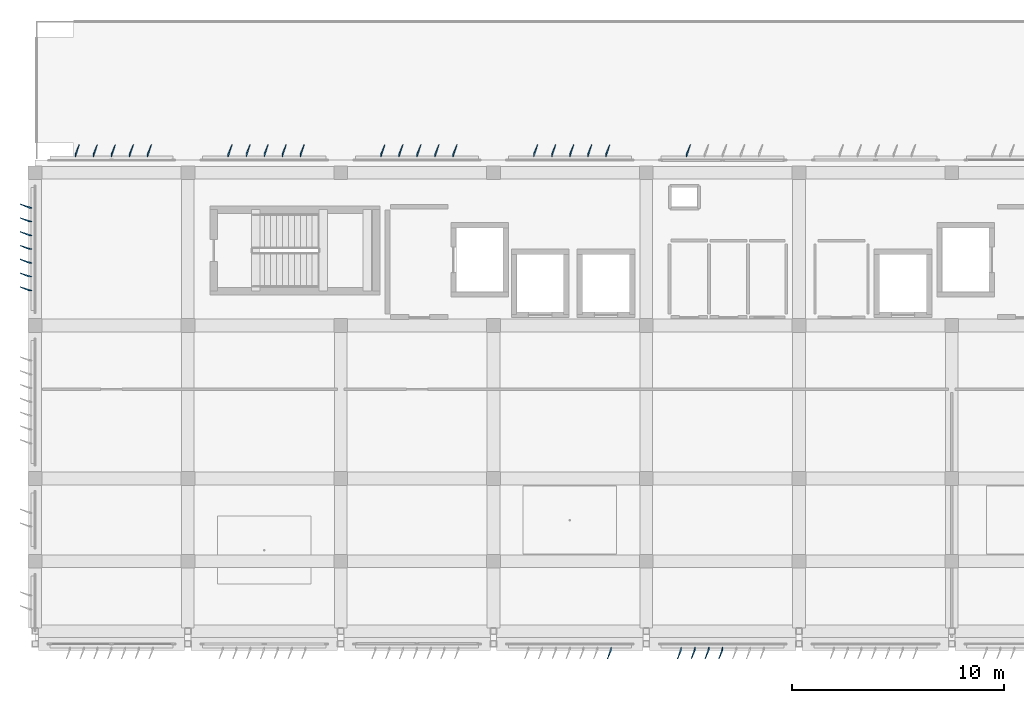
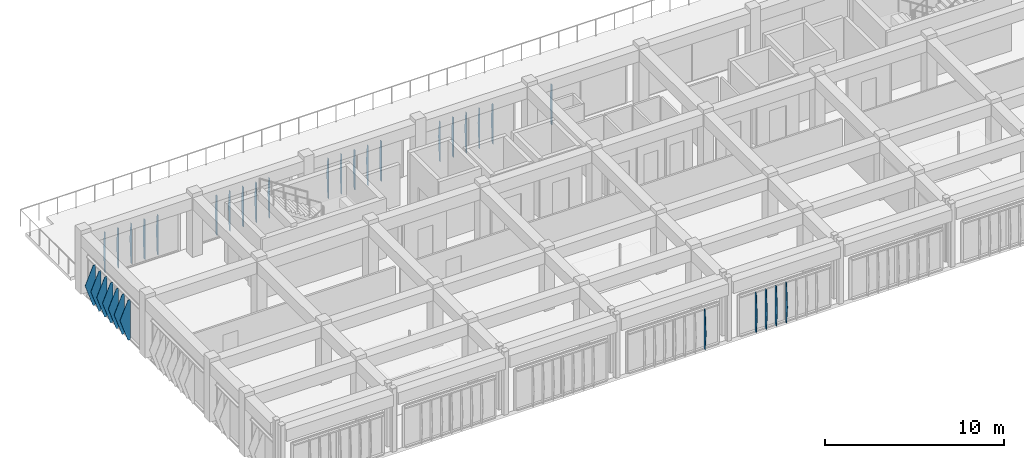
# One storey, part 37 of 42: 33 plates.
"""IFC4 building model written with IfcOpenShell, lengths in metres."""

from ifc_helpers import new_model, si_unit, direction, frame, origin, place, context, subcontext, project, spatial, polygons, material, layer, layer_set, type_object, element, save


model = new_model("IFC4")

# Units and contexts
model_context = context("Model", 3, precision=1e-05, world=origin(), true_north=direction((0.0, 1.0)))
body_context = subcontext(model_context, "Body", "Model", "MODEL_VIEW")
ifc_project = project(units=[si_unit("LENGTHUNIT", "METRE"), si_unit("AREAUNIT", "SQUARE_METRE"), si_unit("VOLUMEUNIT", "CUBIC_METRE"), si_unit("PLANEANGLEUNIT", "RADIAN"), si_unit("MASSUNIT", "GRAM", prefix="KILO")], contexts=[model_context])

# Site, building, storey
site_placement = place(None, origin())
site = spatial("IfcSite", under=ifc_project, at=site_placement, CompositionType="ELEMENT")
building_placement = place(site_placement, origin())
building = spatial("IfcBuilding", under=site, at=building_placement, Name="Kazehaya Institute of Natural Sciences", CompositionType="ELEMENT")
storey_placement = place(building_placement, frame((0.0, 0.0, 37.6201171875)))
storey = spatial("IfcBuildingStorey", under=building, at=storey_placement, Name="L08", CompositionType="ELEMENT", Elevation=37.6201171875)

# Plates
ifc_material = material(Name="Bronze-anodised aluminium alloy A6063S-T5", Category="aluminium")
ifc_layer_1 = layer(ifc_material, 0.02001953125, Name="Bronze-anodised aluminium alloy A6063S-T5", Category="aluminium")
ifc_layer_set_1 = layer_set([ifc_layer_1], Name="Bronze-anodised aluminium alloy A6063S-T5")
plate_type_1 = type_object("IfcPlateType", Name="FIN-DF-E1", PredefinedType="USERDEFINED", material=ifc_layer_set_1)
plate_1_placement = place(storey_placement, origin())
element("IfcPlate", 1, at=plate_1_placement, inside=storey, type_object=plate_type_1, Name="L08 folded diamond-pyramid shading fin FIN-L08-W-0827", ObjectType="SHADING_FIN", PredefinedType="USERDEFINED", context=body_context, shape_type="Tessellation", body=[
    polygons([(54.445068359375, 22.840087890625, 0.039794921875), (54.300048828125, 22.840087890625, 0.039794921875), (53.889892578125, 23.018798828125, 1.409912109375), (54.300048828125, 22.840087890625, 2.77978515625), (54.445068359375, 22.840087890625, 2.77978515625), (54.445068359375, 22.860107421875, 0.039794921875), (54.300048828125, 22.860107421875, 0.039794921875), (53.889892578125, 23.038818359375, 1.409912109375), (54.300048828125, 22.860107421875, 2.77978515625), (54.445068359375, 22.860107421875, 2.77978515625)], [[[1, 5, 4, 3, 2]], [[6, 7, 8, 9, 10]], [[1, 2, 7, 6]], [[2, 3, 8, 7]], [[3, 4, 9, 8]], [[4, 5, 10, 9]], [[5, 1, 6, 10]]], closed=True),
])
plate_2_placement = place(storey_placement, origin())
element("IfcPlate", 2, at=plate_2_placement, inside=storey, type_object=plate_type_1, Name="L08 folded diamond-pyramid shading fin FIN-L08-W-0828", ObjectType="SHADING_FIN", PredefinedType="USERDEFINED", context=body_context, shape_type="Tessellation", body=[
    polygons([(54.445068359375, 23.489990234375, 0.039794921875), (54.300048828125, 23.489990234375, 0.039794921875), (53.889892578125, 23.668701171875, 1.409912109375), (54.300048828125, 23.489990234375, 2.77978515625), (54.445068359375, 23.489990234375, 2.77978515625), (54.445068359375, 23.510009765625, 0.039794921875), (54.300048828125, 23.510009765625, 0.039794921875), (53.889892578125, 23.688720703125, 1.409912109375), (54.300048828125, 23.510009765625, 2.77978515625), (54.445068359375, 23.510009765625, 2.77978515625)], [[[1, 5, 4, 3, 2]], [[6, 7, 8, 9, 10]], [[1, 2, 7, 6]], [[2, 3, 8, 7]], [[3, 4, 9, 8]], [[4, 5, 10, 9]], [[5, 1, 6, 10]]], closed=True),
])
plate_3_placement = place(storey_placement, origin())
element("IfcPlate", 3, at=plate_3_placement, inside=storey, type_object=plate_type_1, Name="L08 folded diamond-pyramid shading fin FIN-L08-W-0829", ObjectType="SHADING_FIN", PredefinedType="USERDEFINED", context=body_context, shape_type="Tessellation", body=[
    polygons([(54.445068359375, 24.139892578125, 0.039794921875), (54.300048828125, 24.139892578125, 0.039794921875), (53.889892578125, 24.318603515625, 1.409912109375), (54.300048828125, 24.139892578125, 2.77978515625), (54.445068359375, 24.139892578125, 2.77978515625), (54.445068359375, 24.159912109375, 0.039794921875), (54.300048828125, 24.159912109375, 0.039794921875), (53.889892578125, 24.338623046875, 1.409912109375), (54.300048828125, 24.159912109375, 2.77978515625), (54.445068359375, 24.159912109375, 2.77978515625)], [[[1, 5, 4, 3, 2]], [[6, 7, 8, 9, 10]], [[1, 2, 7, 6]], [[2, 3, 8, 7]], [[3, 4, 9, 8]], [[4, 5, 10, 9]], [[5, 1, 6, 10]]], closed=True),
])
plate_4_placement = place(storey_placement, origin())
element("IfcPlate", 4, at=plate_4_placement, inside=storey, type_object=plate_type_1, Name="L08 folded diamond-pyramid shading fin FIN-L08-W-0830", ObjectType="SHADING_FIN", PredefinedType="USERDEFINED", context=body_context, shape_type="Tessellation", body=[
    polygons([(54.445068359375, 24.7900390625, 0.039794921875), (54.300048828125, 24.7900390625, 0.039794921875), (53.889892578125, 24.96875, 1.409912109375), (54.300048828125, 24.7900390625, 2.77978515625), (54.445068359375, 24.7900390625, 2.77978515625), (54.445068359375, 24.81005859375, 0.039794921875), (54.300048828125, 24.81005859375, 0.039794921875), (53.889892578125, 24.98876953125, 1.409912109375), (54.300048828125, 24.81005859375, 2.77978515625), (54.445068359375, 24.81005859375, 2.77978515625)], [[[1, 5, 4, 3, 2]], [[6, 7, 8, 9, 10]], [[1, 2, 7, 6]], [[2, 3, 8, 7]], [[3, 4, 9, 8]], [[4, 5, 10, 9]], [[5, 1, 6, 10]]], closed=True),
])
plate_5_placement = place(storey_placement, origin())
element("IfcPlate", 5, at=plate_5_placement, inside=storey, type_object=plate_type_1, Name="L08 folded diamond-pyramid shading fin FIN-L08-W-0831", ObjectType="SHADING_FIN", PredefinedType="USERDEFINED", context=body_context, shape_type="Tessellation", body=[
    polygons([(54.445068359375, 25.43994140625, 0.039794921875), (54.300048828125, 25.43994140625, 0.039794921875), (53.889892578125, 25.61865234375, 1.409912109375), (54.300048828125, 25.43994140625, 2.77978515625), (54.445068359375, 25.43994140625, 2.77978515625), (54.445068359375, 25.4599609375, 0.039794921875), (54.300048828125, 25.4599609375, 0.039794921875), (53.889892578125, 25.638671875, 1.409912109375), (54.300048828125, 25.4599609375, 2.77978515625), (54.445068359375, 25.4599609375, 2.77978515625)], [[[1, 5, 4, 3, 2]], [[6, 7, 8, 9, 10]], [[1, 2, 7, 6]], [[2, 3, 8, 7]], [[3, 4, 9, 8]], [[4, 5, 10, 9]], [[5, 1, 6, 10]]], closed=True),
])
plate_6_placement = place(storey_placement, origin())
element("IfcPlate", 6, at=plate_6_placement, inside=storey, type_object=plate_type_1, Name="L08 folded diamond-pyramid shading fin FIN-L08-W-0832", ObjectType="SHADING_FIN", PredefinedType="USERDEFINED", context=body_context, shape_type="Tessellation", body=[
    polygons([(54.445068359375, 26.090087890625, 0.039794921875), (54.300048828125, 26.090087890625, 0.039794921875), (53.889892578125, 26.268798828125, 1.409912109375), (54.300048828125, 26.090087890625, 2.77978515625), (54.445068359375, 26.090087890625, 2.77978515625), (54.445068359375, 26.110107421875, 0.039794921875), (54.300048828125, 26.110107421875, 0.039794921875), (53.889892578125, 26.288818359375, 1.409912109375), (54.300048828125, 26.110107421875, 2.77978515625), (54.445068359375, 26.110107421875, 2.77978515625)], [[[1, 5, 4, 3, 2]], [[6, 7, 8, 9, 10]], [[1, 2, 7, 6]], [[2, 3, 8, 7]], [[3, 4, 9, 8]], [[4, 5, 10, 9]], [[5, 1, 6, 10]]], closed=True),
])
plate_7_placement = place(storey_placement, origin())
element("IfcPlate", 7, at=plate_7_placement, inside=storey, type_object=plate_type_1, Name="L08 folded diamond-pyramid shading fin FIN-L08-W-0833", ObjectType="SHADING_FIN", PredefinedType="USERDEFINED", context=body_context, shape_type="Tessellation", body=[
    polygons([(54.445068359375, 26.739990234375, 0.039794921875), (54.300048828125, 26.739990234375, 0.039794921875), (53.889892578125, 26.918701171875, 1.409912109375), (54.300048828125, 26.739990234375, 2.77978515625), (54.445068359375, 26.739990234375, 2.77978515625), (54.445068359375, 26.760009765625, 0.039794921875), (54.300048828125, 26.760009765625, 0.039794921875), (53.889892578125, 26.938720703125, 1.409912109375), (54.300048828125, 26.760009765625, 2.77978515625), (54.445068359375, 26.760009765625, 2.77978515625)], [[[1, 5, 4, 3, 2]], [[6, 7, 8, 9, 10]], [[1, 2, 7, 6]], [[2, 3, 8, 7]], [[3, 4, 9, 8]], [[4, 5, 10, 9]], [[5, 1, 6, 10]]], closed=True),
])
ifc_layer_2 = layer(ifc_material, 0.02001953125, Name="Bronze-anodised aluminium alloy A6063S-T5", Category="aluminium")
ifc_layer_set_2 = layer_set([ifc_layer_2], Name="Bronze-anodised aluminium alloy A6063S-T5")
plate_type_2 = type_object("IfcPlateType", Name="FIN-DF-N1", PredefinedType="USERDEFINED", material=ifc_layer_set_2)
plate_8_placement = place(storey_placement, origin())
element("IfcPlate", 8, at=plate_8_placement, inside=storey, type_object=plate_type_2, Name="L08 folded diamond-pyramid shading fin FIN-L08-N-0765", ObjectType="SHADING_FIN", PredefinedType="USERDEFINED", context=body_context, shape_type="Tessellation", body=[
    polygons([(56.489990234375, 29.155029296875, 0.039794921875), (56.489990234375, 29.300048828125, 0.039794921875), (56.668701171875, 29.7099609375, 1.409912109375), (56.489990234375, 29.300048828125, 2.77978515625), (56.489990234375, 29.155029296875, 2.77978515625), (56.510009765625, 29.155029296875, 0.039794921875), (56.510009765625, 29.300048828125, 0.039794921875), (56.688720703125, 29.7099609375, 1.409912109375), (56.510009765625, 29.300048828125, 2.77978515625), (56.510009765625, 29.155029296875, 2.77978515625)], [[[1, 5, 4, 3, 2]], [[6, 7, 8, 9, 10]], [[1, 2, 7, 6]], [[2, 3, 8, 7]], [[3, 4, 9, 8]], [[4, 5, 10, 9]], [[5, 1, 6, 10]]], closed=True),
])
plate_9_placement = place(storey_placement, origin())
element("IfcPlate", 9, at=plate_9_placement, inside=storey, type_object=plate_type_2, Name="L08 folded diamond-pyramid shading fin FIN-L08-N-0766", ObjectType="SHADING_FIN", PredefinedType="USERDEFINED", context=body_context, shape_type="Tessellation", body=[
    polygons([(57.340087890625, 29.155029296875, 0.039794921875), (57.340087890625, 29.300048828125, 0.039794921875), (57.518798828125, 29.7099609375, 1.409912109375), (57.340087890625, 29.300048828125, 2.77978515625), (57.340087890625, 29.155029296875, 2.77978515625), (57.360107421875, 29.155029296875, 0.039794921875), (57.360107421875, 29.300048828125, 0.039794921875), (57.538818359375, 29.7099609375, 1.409912109375), (57.360107421875, 29.300048828125, 2.77978515625), (57.360107421875, 29.155029296875, 2.77978515625)], [[[1, 5, 4, 3, 2]], [[6, 7, 8, 9, 10]], [[1, 2, 7, 6]], [[2, 3, 8, 7]], [[3, 4, 9, 8]], [[4, 5, 10, 9]], [[5, 1, 6, 10]]], closed=True),
])
plate_10_placement = place(storey_placement, origin())
element("IfcPlate", 10, at=plate_10_placement, inside=storey, type_object=plate_type_2, Name="L08 folded diamond-pyramid shading fin FIN-L08-N-0767", ObjectType="SHADING_FIN", PredefinedType="USERDEFINED", context=body_context, shape_type="Tessellation", body=[
    polygons([(58.18994140625, 29.155029296875, 0.039794921875), (58.18994140625, 29.300048828125, 0.039794921875), (58.36865234375, 29.7099609375, 1.409912109375), (58.18994140625, 29.300048828125, 2.77978515625), (58.18994140625, 29.155029296875, 2.77978515625), (58.2099609375, 29.155029296875, 0.039794921875), (58.2099609375, 29.300048828125, 0.039794921875), (58.388671875, 29.7099609375, 1.409912109375), (58.2099609375, 29.300048828125, 2.77978515625), (58.2099609375, 29.155029296875, 2.77978515625)], [[[1, 5, 4, 3, 2]], [[6, 7, 8, 9, 10]], [[1, 2, 7, 6]], [[2, 3, 8, 7]], [[3, 4, 9, 8]], [[4, 5, 10, 9]], [[5, 1, 6, 10]]], closed=True),
])
plate_11_placement = place(storey_placement, origin())
element("IfcPlate", 11, at=plate_11_placement, inside=storey, type_object=plate_type_2, Name="L08 folded diamond-pyramid shading fin FIN-L08-N-0768", ObjectType="SHADING_FIN", PredefinedType="USERDEFINED", context=body_context, shape_type="Tessellation", body=[
    polygons([(59.0400390625, 29.155029296875, 0.039794921875), (59.0400390625, 29.300048828125, 0.039794921875), (59.21875, 29.7099609375, 1.409912109375), (59.0400390625, 29.300048828125, 2.77978515625), (59.0400390625, 29.155029296875, 2.77978515625), (59.06005859375, 29.155029296875, 0.039794921875), (59.06005859375, 29.300048828125, 0.039794921875), (59.23876953125, 29.7099609375, 1.409912109375), (59.06005859375, 29.300048828125, 2.77978515625), (59.06005859375, 29.155029296875, 2.77978515625)], [[[1, 5, 4, 3, 2]], [[6, 7, 8, 9, 10]], [[1, 2, 7, 6]], [[2, 3, 8, 7]], [[3, 4, 9, 8]], [[4, 5, 10, 9]], [[5, 1, 6, 10]]], closed=True),
])
plate_12_placement = place(storey_placement, origin())
element("IfcPlate", 12, at=plate_12_placement, inside=storey, type_object=plate_type_2, Name="L08 folded diamond-pyramid shading fin FIN-L08-N-0769", ObjectType="SHADING_FIN", PredefinedType="USERDEFINED", context=body_context, shape_type="Tessellation", body=[
    polygons([(59.889892578125, 29.155029296875, 0.039794921875), (59.889892578125, 29.300048828125, 0.039794921875), (60.068603515625, 29.7099609375, 1.409912109375), (59.889892578125, 29.300048828125, 2.77978515625), (59.889892578125, 29.155029296875, 2.77978515625), (59.909912109375, 29.155029296875, 0.039794921875), (59.909912109375, 29.300048828125, 0.039794921875), (60.088623046875, 29.7099609375, 1.409912109375), (59.909912109375, 29.300048828125, 2.77978515625), (59.909912109375, 29.155029296875, 2.77978515625)], [[[1, 5, 4, 3, 2]], [[6, 7, 8, 9, 10]], [[1, 2, 7, 6]], [[2, 3, 8, 7]], [[3, 4, 9, 8]], [[4, 5, 10, 9]], [[5, 1, 6, 10]]], closed=True),
])
plate_13_placement = place(storey_placement, origin())
element("IfcPlate", 13, at=plate_13_placement, inside=storey, type_object=plate_type_2, Name="L08 folded diamond-pyramid shading fin FIN-L08-N-0770", ObjectType="SHADING_FIN", PredefinedType="USERDEFINED", context=body_context, shape_type="Tessellation", body=[
    polygons([(63.68994140625, 29.155029296875, 0.039794921875), (63.68994140625, 29.300048828125, 0.039794921875), (63.86865234375, 29.7099609375, 1.409912109375), (63.68994140625, 29.300048828125, 2.77978515625), (63.68994140625, 29.155029296875, 2.77978515625), (63.7099609375, 29.155029296875, 0.039794921875), (63.7099609375, 29.300048828125, 0.039794921875), (63.888671875, 29.7099609375, 1.409912109375), (63.7099609375, 29.300048828125, 2.77978515625), (63.7099609375, 29.155029296875, 2.77978515625)], [[[1, 5, 4, 3, 2]], [[6, 7, 8, 9, 10]], [[1, 2, 7, 6]], [[2, 3, 8, 7]], [[3, 4, 9, 8]], [[4, 5, 10, 9]], [[5, 1, 6, 10]]], closed=True),
])
plate_14_placement = place(storey_placement, origin())
element("IfcPlate", 14, at=plate_14_placement, inside=storey, type_object=plate_type_2, Name="L08 folded diamond-pyramid shading fin FIN-L08-N-0771", ObjectType="SHADING_FIN", PredefinedType="USERDEFINED", context=body_context, shape_type="Tessellation", body=[
    polygons([(64.5400390625, 29.155029296875, 0.039794921875), (64.5400390625, 29.300048828125, 0.039794921875), (64.71875, 29.7099609375, 1.409912109375), (64.5400390625, 29.300048828125, 2.77978515625), (64.5400390625, 29.155029296875, 2.77978515625), (64.56005859375, 29.155029296875, 0.039794921875), (64.56005859375, 29.300048828125, 0.039794921875), (64.73876953125, 29.7099609375, 1.409912109375), (64.56005859375, 29.300048828125, 2.77978515625), (64.56005859375, 29.155029296875, 2.77978515625)], [[[1, 5, 4, 3, 2]], [[6, 7, 8, 9, 10]], [[1, 2, 7, 6]], [[2, 3, 8, 7]], [[3, 4, 9, 8]], [[4, 5, 10, 9]], [[5, 1, 6, 10]]], closed=True),
])
plate_15_placement = place(storey_placement, origin())
element("IfcPlate", 15, at=plate_15_placement, inside=storey, type_object=plate_type_2, Name="L08 folded diamond-pyramid shading fin FIN-L08-N-0772", ObjectType="SHADING_FIN", PredefinedType="USERDEFINED", context=body_context, shape_type="Tessellation", body=[
    polygons([(65.389892578125, 29.155029296875, 0.039794921875), (65.389892578125, 29.300048828125, 0.039794921875), (65.568603515625, 29.7099609375, 1.409912109375), (65.389892578125, 29.300048828125, 2.77978515625), (65.389892578125, 29.155029296875, 2.77978515625), (65.409912109375, 29.155029296875, 0.039794921875), (65.409912109375, 29.300048828125, 0.039794921875), (65.588623046875, 29.7099609375, 1.409912109375), (65.409912109375, 29.300048828125, 2.77978515625), (65.409912109375, 29.155029296875, 2.77978515625)], [[[1, 5, 4, 3, 2]], [[6, 7, 8, 9, 10]], [[1, 2, 7, 6]], [[2, 3, 8, 7]], [[3, 4, 9, 8]], [[4, 5, 10, 9]], [[5, 1, 6, 10]]], closed=True),
])
plate_16_placement = place(storey_placement, origin())
element("IfcPlate", 16, at=plate_16_placement, inside=storey, type_object=plate_type_2, Name="L08 folded diamond-pyramid shading fin FIN-L08-N-0773", ObjectType="SHADING_FIN", PredefinedType="USERDEFINED", context=body_context, shape_type="Tessellation", body=[
    polygons([(66.239990234375, 29.155029296875, 0.039794921875), (66.239990234375, 29.300048828125, 0.039794921875), (66.418701171875, 29.7099609375, 1.409912109375), (66.239990234375, 29.300048828125, 2.77978515625), (66.239990234375, 29.155029296875, 2.77978515625), (66.260009765625, 29.155029296875, 0.039794921875), (66.260009765625, 29.300048828125, 0.039794921875), (66.438720703125, 29.7099609375, 1.409912109375), (66.260009765625, 29.300048828125, 2.77978515625), (66.260009765625, 29.155029296875, 2.77978515625)], [[[1, 5, 4, 3, 2]], [[6, 7, 8, 9, 10]], [[1, 2, 7, 6]], [[2, 3, 8, 7]], [[3, 4, 9, 8]], [[4, 5, 10, 9]], [[5, 1, 6, 10]]], closed=True),
])
plate_17_placement = place(storey_placement, origin())
element("IfcPlate", 17, at=plate_17_placement, inside=storey, type_object=plate_type_2, Name="L08 folded diamond-pyramid shading fin FIN-L08-N-0774", ObjectType="SHADING_FIN", PredefinedType="USERDEFINED", context=body_context, shape_type="Tessellation", body=[
    polygons([(67.090087890625, 29.155029296875, 0.039794921875), (67.090087890625, 29.300048828125, 0.039794921875), (67.268798828125, 29.7099609375, 1.409912109375), (67.090087890625, 29.300048828125, 2.77978515625), (67.090087890625, 29.155029296875, 2.77978515625), (67.110107421875, 29.155029296875, 0.039794921875), (67.110107421875, 29.300048828125, 0.039794921875), (67.288818359375, 29.7099609375, 1.409912109375), (67.110107421875, 29.300048828125, 2.77978515625), (67.110107421875, 29.155029296875, 2.77978515625)], [[[1, 5, 4, 3, 2]], [[6, 7, 8, 9, 10]], [[1, 2, 7, 6]], [[2, 3, 8, 7]], [[3, 4, 9, 8]], [[4, 5, 10, 9]], [[5, 1, 6, 10]]], closed=True),
])
plate_18_placement = place(storey_placement, origin())
element("IfcPlate", 18, at=plate_18_placement, inside=storey, type_object=plate_type_2, Name="L08 folded diamond-pyramid shading fin FIN-L08-N-0775", ObjectType="SHADING_FIN", PredefinedType="USERDEFINED", context=body_context, shape_type="Tessellation", body=[
    polygons([(70.889892578125, 29.155029296875, 0.039794921875), (70.889892578125, 29.300048828125, 0.039794921875), (71.068603515625, 29.7099609375, 1.409912109375), (70.889892578125, 29.300048828125, 2.77978515625), (70.889892578125, 29.155029296875, 2.77978515625), (70.909912109375, 29.155029296875, 0.039794921875), (70.909912109375, 29.300048828125, 0.039794921875), (71.088623046875, 29.7099609375, 1.409912109375), (70.909912109375, 29.300048828125, 2.77978515625), (70.909912109375, 29.155029296875, 2.77978515625)], [[[1, 5, 4, 3, 2]], [[6, 7, 8, 9, 10]], [[1, 2, 7, 6]], [[2, 3, 8, 7]], [[3, 4, 9, 8]], [[4, 5, 10, 9]], [[5, 1, 6, 10]]], closed=True),
])
plate_19_placement = place(storey_placement, origin())
element("IfcPlate", 19, at=plate_19_placement, inside=storey, type_object=plate_type_2, Name="L08 folded diamond-pyramid shading fin FIN-L08-N-0776", ObjectType="SHADING_FIN", PredefinedType="USERDEFINED", context=body_context, shape_type="Tessellation", body=[
    polygons([(71.739990234375, 29.155029296875, 0.039794921875), (71.739990234375, 29.300048828125, 0.039794921875), (71.918701171875, 29.7099609375, 1.409912109375), (71.739990234375, 29.300048828125, 2.77978515625), (71.739990234375, 29.155029296875, 2.77978515625), (71.760009765625, 29.155029296875, 0.039794921875), (71.760009765625, 29.300048828125, 0.039794921875), (71.938720703125, 29.7099609375, 1.409912109375), (71.760009765625, 29.300048828125, 2.77978515625), (71.760009765625, 29.155029296875, 2.77978515625)], [[[1, 5, 4, 3, 2]], [[6, 7, 8, 9, 10]], [[1, 2, 7, 6]], [[2, 3, 8, 7]], [[3, 4, 9, 8]], [[4, 5, 10, 9]], [[5, 1, 6, 10]]], closed=True),
])
plate_20_placement = place(storey_placement, origin())
element("IfcPlate", 20, at=plate_20_placement, inside=storey, type_object=plate_type_2, Name="L08 folded diamond-pyramid shading fin FIN-L08-N-0777", ObjectType="SHADING_FIN", PredefinedType="USERDEFINED", context=body_context, shape_type="Tessellation", body=[
    polygons([(72.590087890625, 29.155029296875, 0.039794921875), (72.590087890625, 29.300048828125, 0.039794921875), (72.768798828125, 29.7099609375, 1.409912109375), (72.590087890625, 29.300048828125, 2.77978515625), (72.590087890625, 29.155029296875, 2.77978515625), (72.610107421875, 29.155029296875, 0.039794921875), (72.610107421875, 29.300048828125, 0.039794921875), (72.788818359375, 29.7099609375, 1.409912109375), (72.610107421875, 29.300048828125, 2.77978515625), (72.610107421875, 29.155029296875, 2.77978515625)], [[[1, 5, 4, 3, 2]], [[6, 7, 8, 9, 10]], [[1, 2, 7, 6]], [[2, 3, 8, 7]], [[3, 4, 9, 8]], [[4, 5, 10, 9]], [[5, 1, 6, 10]]], closed=True),
])
plate_21_placement = place(storey_placement, origin())
element("IfcPlate", 21, at=plate_21_placement, inside=storey, type_object=plate_type_2, Name="L08 folded diamond-pyramid shading fin FIN-L08-N-0778", ObjectType="SHADING_FIN", PredefinedType="USERDEFINED", context=body_context, shape_type="Tessellation", body=[
    polygons([(73.43994140625, 29.155029296875, 0.039794921875), (73.43994140625, 29.300048828125, 0.039794921875), (73.61865234375, 29.7099609375, 1.409912109375), (73.43994140625, 29.300048828125, 2.77978515625), (73.43994140625, 29.155029296875, 2.77978515625), (73.4599609375, 29.155029296875, 0.039794921875), (73.4599609375, 29.300048828125, 0.039794921875), (73.638671875, 29.7099609375, 1.409912109375), (73.4599609375, 29.300048828125, 2.77978515625), (73.4599609375, 29.155029296875, 2.77978515625)], [[[1, 5, 4, 3, 2]], [[6, 7, 8, 9, 10]], [[1, 2, 7, 6]], [[2, 3, 8, 7]], [[3, 4, 9, 8]], [[4, 5, 10, 9]], [[5, 1, 6, 10]]], closed=True),
])
plate_22_placement = place(storey_placement, origin())
element("IfcPlate", 22, at=plate_22_placement, inside=storey, type_object=plate_type_2, Name="L08 folded diamond-pyramid shading fin FIN-L08-N-0779", ObjectType="SHADING_FIN", PredefinedType="USERDEFINED", context=body_context, shape_type="Tessellation", body=[
    polygons([(74.2900390625, 29.155029296875, 0.039794921875), (74.2900390625, 29.300048828125, 0.039794921875), (74.46875, 29.7099609375, 1.409912109375), (74.2900390625, 29.300048828125, 2.77978515625), (74.2900390625, 29.155029296875, 2.77978515625), (74.31005859375, 29.155029296875, 0.039794921875), (74.31005859375, 29.300048828125, 0.039794921875), (74.48876953125, 29.7099609375, 1.409912109375), (74.31005859375, 29.300048828125, 2.77978515625), (74.31005859375, 29.155029296875, 2.77978515625)], [[[1, 5, 4, 3, 2]], [[6, 7, 8, 9, 10]], [[1, 2, 7, 6]], [[2, 3, 8, 7]], [[3, 4, 9, 8]], [[4, 5, 10, 9]], [[5, 1, 6, 10]]], closed=True),
])
plate_23_placement = place(storey_placement, origin())
element("IfcPlate", 23, at=plate_23_placement, inside=storey, type_object=plate_type_2, Name="L08 folded diamond-pyramid shading fin FIN-L08-N-0780", ObjectType="SHADING_FIN", PredefinedType="USERDEFINED", context=body_context, shape_type="Tessellation", body=[
    polygons([(78.090087890625, 29.155029296875, 0.039794921875), (78.090087890625, 29.300048828125, 0.039794921875), (78.268798828125, 29.7099609375, 1.409912109375), (78.090087890625, 29.300048828125, 2.77978515625), (78.090087890625, 29.155029296875, 2.77978515625), (78.110107421875, 29.155029296875, 0.039794921875), (78.110107421875, 29.300048828125, 0.039794921875), (78.288818359375, 29.7099609375, 1.409912109375), (78.110107421875, 29.300048828125, 2.77978515625), (78.110107421875, 29.155029296875, 2.77978515625)], [[[1, 5, 4, 3, 2]], [[6, 7, 8, 9, 10]], [[1, 2, 7, 6]], [[2, 3, 8, 7]], [[3, 4, 9, 8]], [[4, 5, 10, 9]], [[5, 1, 6, 10]]], closed=True),
])
plate_24_placement = place(storey_placement, origin())
element("IfcPlate", 24, at=plate_24_placement, inside=storey, type_object=plate_type_2, Name="L08 folded diamond-pyramid shading fin FIN-L08-N-0781", ObjectType="SHADING_FIN", PredefinedType="USERDEFINED", context=body_context, shape_type="Tessellation", body=[
    polygons([(78.93994140625, 29.155029296875, 0.039794921875), (78.93994140625, 29.300048828125, 0.039794921875), (79.11865234375, 29.7099609375, 1.409912109375), (78.93994140625, 29.300048828125, 2.77978515625), (78.93994140625, 29.155029296875, 2.77978515625), (78.9599609375, 29.155029296875, 0.039794921875), (78.9599609375, 29.300048828125, 0.039794921875), (79.138671875, 29.7099609375, 1.409912109375), (78.9599609375, 29.300048828125, 2.77978515625), (78.9599609375, 29.155029296875, 2.77978515625)], [[[1, 5, 4, 3, 2]], [[6, 7, 8, 9, 10]], [[1, 2, 7, 6]], [[2, 3, 8, 7]], [[3, 4, 9, 8]], [[4, 5, 10, 9]], [[5, 1, 6, 10]]], closed=True),
])
plate_25_placement = place(storey_placement, origin())
element("IfcPlate", 25, at=plate_25_placement, inside=storey, type_object=plate_type_2, Name="L08 folded diamond-pyramid shading fin FIN-L08-N-0782", ObjectType="SHADING_FIN", PredefinedType="USERDEFINED", context=body_context, shape_type="Tessellation", body=[
    polygons([(79.7900390625, 29.155029296875, 0.039794921875), (79.7900390625, 29.300048828125, 0.039794921875), (79.96875, 29.7099609375, 1.409912109375), (79.7900390625, 29.300048828125, 2.77978515625), (79.7900390625, 29.155029296875, 2.77978515625), (79.81005859375, 29.155029296875, 0.039794921875), (79.81005859375, 29.300048828125, 0.039794921875), (79.98876953125, 29.7099609375, 1.409912109375), (79.81005859375, 29.300048828125, 2.77978515625), (79.81005859375, 29.155029296875, 2.77978515625)], [[[1, 5, 4, 3, 2]], [[6, 7, 8, 9, 10]], [[1, 2, 7, 6]], [[2, 3, 8, 7]], [[3, 4, 9, 8]], [[4, 5, 10, 9]], [[5, 1, 6, 10]]], closed=True),
])
plate_26_placement = place(storey_placement, origin())
element("IfcPlate", 26, at=plate_26_placement, inside=storey, type_object=plate_type_2, Name="L08 folded diamond-pyramid shading fin FIN-L08-N-0783", ObjectType="SHADING_FIN", PredefinedType="USERDEFINED", context=body_context, shape_type="Tessellation", body=[
    polygons([(80.639892578125, 29.155029296875, 0.039794921875), (80.639892578125, 29.300048828125, 0.039794921875), (80.818603515625, 29.7099609375, 1.409912109375), (80.639892578125, 29.300048828125, 2.77978515625), (80.639892578125, 29.155029296875, 2.77978515625), (80.659912109375, 29.155029296875, 0.039794921875), (80.659912109375, 29.300048828125, 0.039794921875), (80.838623046875, 29.7099609375, 1.409912109375), (80.659912109375, 29.300048828125, 2.77978515625), (80.659912109375, 29.155029296875, 2.77978515625)], [[[1, 5, 4, 3, 2]], [[6, 7, 8, 9, 10]], [[1, 2, 7, 6]], [[2, 3, 8, 7]], [[3, 4, 9, 8]], [[4, 5, 10, 9]], [[5, 1, 6, 10]]], closed=True),
])
plate_27_placement = place(storey_placement, origin())
element("IfcPlate", 27, at=plate_27_placement, inside=storey, type_object=plate_type_2, Name="L08 folded diamond-pyramid shading fin FIN-L08-N-0784", ObjectType="SHADING_FIN", PredefinedType="USERDEFINED", context=body_context, shape_type="Tessellation", body=[
    polygons([(81.489990234375, 29.155029296875, 0.039794921875), (81.489990234375, 29.300048828125, 0.039794921875), (81.668701171875, 29.7099609375, 1.409912109375), (81.489990234375, 29.300048828125, 2.77978515625), (81.489990234375, 29.155029296875, 2.77978515625), (81.510009765625, 29.155029296875, 0.039794921875), (81.510009765625, 29.300048828125, 0.039794921875), (81.688720703125, 29.7099609375, 1.409912109375), (81.510009765625, 29.300048828125, 2.77978515625), (81.510009765625, 29.155029296875, 2.77978515625)], [[[1, 5, 4, 3, 2]], [[6, 7, 8, 9, 10]], [[1, 2, 7, 6]], [[2, 3, 8, 7]], [[3, 4, 9, 8]], [[4, 5, 10, 9]], [[5, 1, 6, 10]]], closed=True),
])
plate_28_placement = place(storey_placement, origin())
element("IfcPlate", 28, at=plate_28_placement, inside=storey, type_object=plate_type_2, Name="L08 folded diamond-pyramid shading fin FIN-L08-N-0785", ObjectType="SHADING_FIN", PredefinedType="USERDEFINED", context=body_context, shape_type="Tessellation", body=[
    polygons([(85.2900390625, 29.155029296875, 0.039794921875), (85.2900390625, 29.300048828125, 0.039794921875), (85.46875, 29.7099609375, 1.409912109375), (85.2900390625, 29.300048828125, 2.77978515625), (85.2900390625, 29.155029296875, 2.77978515625), (85.31005859375, 29.155029296875, 0.039794921875), (85.31005859375, 29.300048828125, 0.039794921875), (85.48876953125, 29.7099609375, 1.409912109375), (85.31005859375, 29.300048828125, 2.77978515625), (85.31005859375, 29.155029296875, 2.77978515625)], [[[1, 5, 4, 3, 2]], [[6, 7, 8, 9, 10]], [[1, 2, 7, 6]], [[2, 3, 8, 7]], [[3, 4, 9, 8]], [[4, 5, 10, 9]], [[5, 1, 6, 10]]], closed=True),
])
ifc_layer_3 = layer(ifc_material, 0.02001953125, Name="Bronze-anodised aluminium alloy A6063S-T5", Category="aluminium")
ifc_layer_set_3 = layer_set([ifc_layer_3], Name="Bronze-anodised aluminium alloy A6063S-T5")
plate_type_3 = type_object("IfcPlateType", Name="FIN-DF-S1", PredefinedType="USERDEFINED", material=ifc_layer_set_3)
plate_29_placement = place(storey_placement, origin())
element("IfcPlate", 29, at=plate_29_placement, inside=storey, type_object=plate_type_3, Name="L08 folded diamond-pyramid shading fin FIN-L08-S-0733", ObjectType="SHADING_FIN", PredefinedType="USERDEFINED", context=body_context, shape_type="Tessellation", body=[
    polygons([(87.010009765625, 6.044921875, 0.039794921875), (87.010009765625, 5.89990234375, 0.039794921875), (86.831298828125, 5.489990234375, 1.409912109375), (87.010009765625, 5.89990234375, 2.77978515625), (87.010009765625, 6.044921875, 2.77978515625), (86.989990234375, 6.044921875, 0.039794921875), (86.989990234375, 5.89990234375, 0.039794921875), (86.811279296875, 5.489990234375, 1.409912109375), (86.989990234375, 5.89990234375, 2.77978515625), (86.989990234375, 6.044921875, 2.77978515625)], [[[1, 5, 4, 3, 2]], [[6, 7, 8, 9, 10]], [[1, 2, 7, 6]], [[2, 3, 8, 7]], [[3, 4, 9, 8]], [[4, 5, 10, 9]], [[5, 1, 6, 10]]], closed=True),
])
plate_30_placement = place(storey_placement, origin())
element("IfcPlate", 30, at=plate_30_placement, inside=storey, type_object=plate_type_3, Name="L08 folded diamond-pyramid shading fin FIN-L08-S-0734", ObjectType="SHADING_FIN", PredefinedType="USERDEFINED", context=body_context, shape_type="Tessellation", body=[
    polygons([(86.360107421875, 6.044921875, 0.039794921875), (86.360107421875, 5.89990234375, 0.039794921875), (86.181396484375, 5.489990234375, 1.409912109375), (86.360107421875, 5.89990234375, 2.77978515625), (86.360107421875, 6.044921875, 2.77978515625), (86.340087890625, 6.044921875, 0.039794921875), (86.340087890625, 5.89990234375, 0.039794921875), (86.161376953125, 5.489990234375, 1.409912109375), (86.340087890625, 5.89990234375, 2.77978515625), (86.340087890625, 6.044921875, 2.77978515625)], [[[1, 5, 4, 3, 2]], [[6, 7, 8, 9, 10]], [[1, 2, 7, 6]], [[2, 3, 8, 7]], [[3, 4, 9, 8]], [[4, 5, 10, 9]], [[5, 1, 6, 10]]], closed=True),
])
plate_31_placement = place(storey_placement, origin())
element("IfcPlate", 31, at=plate_31_placement, inside=storey, type_object=plate_type_3, Name="L08 folded diamond-pyramid shading fin FIN-L08-S-0735", ObjectType="SHADING_FIN", PredefinedType="USERDEFINED", context=body_context, shape_type="Tessellation", body=[
    polygons([(85.7099609375, 6.044921875, 0.039794921875), (85.7099609375, 5.89990234375, 0.039794921875), (85.53125, 5.489990234375, 1.409912109375), (85.7099609375, 5.89990234375, 2.77978515625), (85.7099609375, 6.044921875, 2.77978515625), (85.68994140625, 6.044921875, 0.039794921875), (85.68994140625, 5.89990234375, 0.039794921875), (85.51123046875, 5.489990234375, 1.409912109375), (85.68994140625, 5.89990234375, 2.77978515625), (85.68994140625, 6.044921875, 2.77978515625)], [[[1, 5, 4, 3, 2]], [[6, 7, 8, 9, 10]], [[1, 2, 7, 6]], [[2, 3, 8, 7]], [[3, 4, 9, 8]], [[4, 5, 10, 9]], [[5, 1, 6, 10]]], closed=True),
])
plate_32_placement = place(storey_placement, origin())
element("IfcPlate", 32, at=plate_32_placement, inside=storey, type_object=plate_type_3, Name="L08 folded diamond-pyramid shading fin FIN-L08-S-0736", ObjectType="SHADING_FIN", PredefinedType="USERDEFINED", context=body_context, shape_type="Tessellation", body=[
    polygons([(85.06005859375, 6.044921875, 0.039794921875), (85.06005859375, 5.89990234375, 0.039794921875), (84.88134765625, 5.489990234375, 1.409912109375), (85.06005859375, 5.89990234375, 2.77978515625), (85.06005859375, 6.044921875, 2.77978515625), (85.0400390625, 6.044921875, 0.039794921875), (85.0400390625, 5.89990234375, 0.039794921875), (84.861328125, 5.489990234375, 1.409912109375), (85.0400390625, 5.89990234375, 2.77978515625), (85.0400390625, 6.044921875, 2.77978515625)], [[[1, 5, 4, 3, 2]], [[6, 7, 8, 9, 10]], [[1, 2, 7, 6]], [[2, 3, 8, 7]], [[3, 4, 9, 8]], [[4, 5, 10, 9]], [[5, 1, 6, 10]]], closed=True),
])
plate_33_placement = place(storey_placement, origin())
element("IfcPlate", 33, at=plate_33_placement, inside=storey, type_object=plate_type_3, Name="L08 folded diamond-pyramid shading fin FIN-L08-S-0737", ObjectType="SHADING_FIN", PredefinedType="USERDEFINED", context=body_context, shape_type="Tessellation", body=[
    polygons([(81.760009765625, 6.044921875, 0.039794921875), (81.760009765625, 5.89990234375, 0.039794921875), (81.581298828125, 5.489990234375, 1.409912109375), (81.760009765625, 5.89990234375, 2.77978515625), (81.760009765625, 6.044921875, 2.77978515625), (81.739990234375, 6.044921875, 0.039794921875), (81.739990234375, 5.89990234375, 0.039794921875), (81.561279296875, 5.489990234375, 1.409912109375), (81.739990234375, 5.89990234375, 2.77978515625), (81.739990234375, 6.044921875, 2.77978515625)], [[[1, 5, 4, 3, 2]], [[6, 7, 8, 9, 10]], [[1, 2, 7, 6]], [[2, 3, 8, 7]], [[3, 4, 9, 8]], [[4, 5, 10, 9]], [[5, 1, 6, 10]]], closed=True),
])

save(model, "model.ifc")
